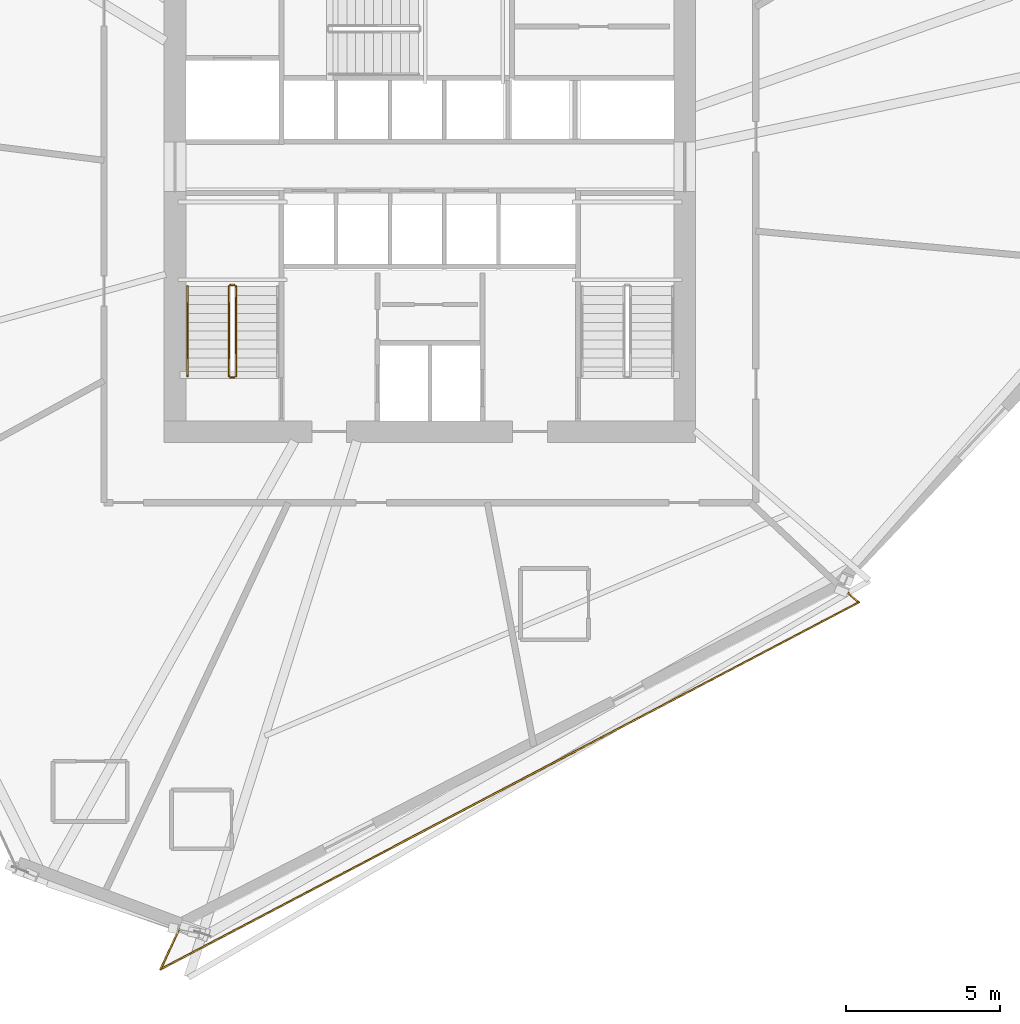
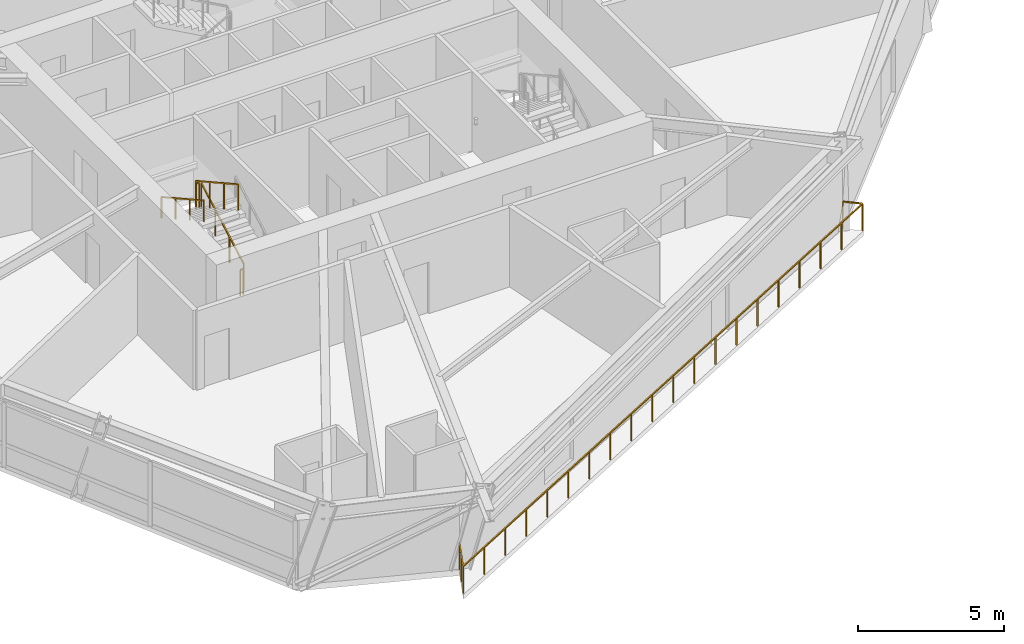
# One storey, part 19 of 22: 6 railings.
"""IFC4 building model written with IfcOpenShell, lengths in metres."""

import ifcopenshell
import ifcopenshell.guid

model = None  # the IFC model being written
_history = None  # IfcOwnerHistory: only IFC2X3 demands one
_inside = {}  # id of a spatial element -> (the spatial element, [elements in it])
_under = {}  # id of a project, library or spatial element -> (it, [spatial elements below it])
_declared = {}  # id of a project -> (the project, [libraries it declares])
_typed = {}  # id of a type object -> (the type object, [elements of that type])
_made_of = {}  # id of a material, layer set ... -> (it, [elements and type objects made of it])


def new_model(schema):
    """Start an empty IFC model of exactly this schema.

    Asked for "IFC4X3", IfcOpenShell would pick the latest addendum, in which some entities
    have other attributes; the version numbers below select the first issue.
    IFC2X3 requires an IfcOwnerHistory on every rooted entity: one is made here for all.
    """
    global model, _history
    if schema == "IFC4X3":
        model = ifcopenshell.file(schema_version=(4, 3, 0, 0))
    else:
        model = ifcopenshell.file(schema=schema)
    _inside.clear()
    _under.clear()
    _declared.clear()
    _typed.clear()
    _made_of.clear()
    _history = None
    if model.schema == "IFC2X3":
        org = make("IfcOrganization", Name="unknown")
        user = make(
            "IfcPersonAndOrganization",
            ThePerson=make("IfcPerson", FamilyName="unknown"),
            TheOrganization=org,
        )
        app = make(
            "IfcApplication",
            ApplicationDeveloper=org,
            Version="unknown",
            ApplicationFullName="unknown",
            ApplicationIdentifier="unknown",
        )
        _history = make(
            "IfcOwnerHistory",
            OwningUser=user,
            OwningApplication=app,
            ChangeAction="ADDED",
            CreationDate=0,
        )
    return model


def make(cls, **values):
    """One entity of the class cls with the attributes given. An attribute that is None is left unset."""
    return model.create_entity(
        cls, **{name: value for name, value in values.items() if value is not None}
    )


def rooted(cls, **values):
    """An entity with a GlobalId (a new one), such as an element, a storey or a relation."""
    return make(cls, GlobalId=ifcopenshell.guid.new(), OwnerHistory=_history, **values)


def si_unit(unit_type, name, prefix=None):
    """IfcSIUnit, for example si_unit("LENGTHUNIT", "METRE", prefix="MILLI")."""
    return make("IfcSIUnit", UnitType=unit_type, Prefix=prefix, Name=name)


def assignment(units):
    """IfcUnitAssignment: the units of a project."""
    return None if units is None else make("IfcUnitAssignment", Units=units)


def point(xyz):
    """IfcCartesianPoint."""
    return None if xyz is None else make("IfcCartesianPoint", Coordinates=xyz)


def direction(xyz):
    """IfcDirection."""
    return None if xyz is None else make("IfcDirection", DirectionRatios=xyz)


def frame(location, z_axis=None, x_axis=None):
    """IfcAxis2Placement3D, a coordinate frame: its origin and axes. An axis left out is left unset."""
    return make(
        "IfcAxis2Placement3D",
        Location=point(location),
        Axis=direction(z_axis),
        RefDirection=direction(x_axis),
    )


def frame_2d(location, x_axis=None):
    """IfcAxis2Placement2D, a coordinate frame in the plane: its origin and x axis."""
    return make(
        "IfcAxis2Placement2D", Location=point(location), RefDirection=direction(x_axis)
    )


def origin():
    """The frame at (0, 0, 0) with its axes left unset."""
    return frame((0.0, 0.0, 0.0))


def origin_2d():
    """The frame at (0, 0) in the plane with its x axis left unset."""
    return frame_2d((0.0, 0.0))


def place(relative_to, where):
    """IfcLocalPlacement: puts the frame where relative to a parent placement (None: the world)."""
    return make(
        "IfcLocalPlacement", PlacementRelTo=relative_to, RelativePlacement=where
    )


def context(
    kind, dimensions, precision=None, world=None, true_north=None, identifier=None
):
    """IfcGeometricRepresentationContext, for example the 3D "Model" context."""
    return make(
        "IfcGeometricRepresentationContext",
        ContextIdentifier=identifier,
        ContextType=kind,
        CoordinateSpaceDimension=dimensions,
        Precision=precision,
        WorldCoordinateSystem=world,
        TrueNorth=true_north,
    )


def subcontext(parent, identifier, kind, view, scale=None):
    """IfcGeometricRepresentationSubContext, for example "Body" below "Model"."""
    return make(
        "IfcGeometricRepresentationSubContext",
        ContextIdentifier=identifier,
        ContextType=kind,
        ParentContext=parent,
        TargetScale=scale,
        TargetView=view,
    )


def project(units=None, contexts=None):
    """IfcProject with its units and contexts."""
    return rooted(
        "IfcProject",
        Name="project",
        RepresentationContexts=contexts,
        UnitsInContext=assignment(units),
    )


def spatial(cls, under=None, at=None, **own):
    """A site, building, storey or space (cls), placed at a placement, below another one or the project."""
    s = rooted(cls, ObjectPlacement=at, **own)
    if under is not None:
        _under.setdefault(under.id(), (under, []))[1].append(s)
    return s


def profile(cls, at=None, kind="AREA", **sizes):
    """A parametric profile (cls). Its sizes go by their IFC names, for example OverallWidth=200.0."""
    return make(cls, ProfileType=kind, Position=at, **sizes)


def rectangle(**sizes):
    """IfcRectangleProfileDef."""
    return profile("IfcRectangleProfileDef", **sizes)


def extrude(swept, where, along, depth):
    """IfcExtrudedAreaSolid: the profile swept, set in the frame where, extruded along a direction by depth."""
    return make(
        "IfcExtrudedAreaSolid",
        SweptArea=swept,
        Position=where,
        ExtrudedDirection=direction(along),
        Depth=depth,
    )


def shape(context_of_items, identifier, shape_type, items):
    """IfcShapeRepresentation: the items that make up one representation, for example the "Body"."""
    return make(
        "IfcShapeRepresentation",
        ContextOfItems=context_of_items,
        RepresentationIdentifier=identifier,
        RepresentationType=shape_type,
        Items=items,
    )


def material(Name=None, Category=None):
    """IfcMaterial."""
    return make("IfcMaterial", Name=Name, Category=Category)


def made_of(thing, what):
    """Note that an element or type object is made of a material, layer set ...; save() writes the relation."""
    if what is not None:
        _made_of.setdefault(what.id(), (what, []))[1].append(thing)
    return thing


def type_object(cls, material=None, **own):
    """A type object (cls), such as IfcWallType, which elements share."""
    return made_of(rooted(cls, **own), material)


def element(
    cls,
    number,
    at=None,
    inside=None,
    cuts=None,
    type_object=None,
    material=None,
    context=None,
    identifier="Body",
    shape_type=None,
    held_by="IfcProductDefinitionShape",
    body=None,
    shapes=None,
    **own,
):
    """One element of the class cls, such as IfcWall. Its Tag is "e" and its number.

    at: its placement. inside: the storey or other place that contains it. cuts: it is an
    opening in that element (IfcRelVoidsElement). A single representation is given by context,
    identifier, shape_type and body (its items); several are given by shapes. held_by: the class
    of the entity that holds the representations. save() writes the other relations.
    """
    e = rooted(cls, Tag="e%d" % number, ObjectPlacement=at, **own)
    if body is not None:
        shapes = [shape(context, identifier, shape_type, body)]
    if shapes is not None:
        e.Representation = make(held_by, Representations=shapes)
    if inside is not None:
        _inside.setdefault(inside.id(), (inside, []))[1].append(e)
    if cuts is not None:
        rooted(
            "IfcRelVoidsElement", RelatingBuildingElement=cuts, RelatedOpeningElement=e
        )
    if type_object is not None:
        _typed.setdefault(type_object.id(), (type_object, []))[1].append(e)
    return made_of(e, material)


def aggregate(whole, parts):
    """IfcRelAggregates: a whole, such as a stair, and the parts it consists of."""
    return rooted("IfcRelAggregates", RelatingObject=whole, RelatedObjects=parts)


def save(model, path):
    """Write the relations noted so far, then the file.

    IfcRelAggregates (storeys below a building ...), IfcRelContainedInSpatialStructure (elements
    in a storey), IfcRelDefinesByType, IfcRelAssociatesMaterial and IfcRelDeclares: one each for
    every whole, place, type object, material and project.
    """
    for whole, parts in _under.values():
        aggregate(whole, parts)
    for where, things in _inside.values():
        rooted(
            "IfcRelContainedInSpatialStructure",
            RelatedElements=things,
            RelatingStructure=where,
        )
    for kind, things in _typed.values():
        rooted("IfcRelDefinesByType", RelatedObjects=things, RelatingType=kind)
    for what, things in _made_of.values():
        rooted("IfcRelAssociatesMaterial", RelatedObjects=things, RelatingMaterial=what)
    for by, libraries in _declared.values():
        rooted("IfcRelDeclares", RelatingContext=by, RelatedDefinitions=libraries)
    model.write(path)


model = new_model("IFC4")

# Units and contexts
model_context = context("Model", 3, precision=1e-05, world=origin(), true_north=direction((0.0, 1.0)))
body_context = subcontext(model_context, "Body", "Model", "MODEL_VIEW")
ifc_project = project(units=[si_unit("LENGTHUNIT", "METRE"), si_unit("AREAUNIT", "SQUARE_METRE"), si_unit("VOLUMEUNIT", "CUBIC_METRE"), si_unit("PLANEANGLEUNIT", "RADIAN"), si_unit("MASSUNIT", "GRAM", prefix="KILO")], contexts=[model_context])

# Site, building, storey
site_placement = place(None, origin())
site = spatial("IfcSite", under=ifc_project, at=site_placement, CompositionType="ELEMENT")
building_placement = place(site_placement, origin())
building = spatial("IfcBuilding", under=site, at=building_placement, Name="Olszyna Solenne Hotel", CompositionType="ELEMENT")
storey_placement = place(building_placement, frame((0.0, 0.0, 95.050048828125)))
storey = spatial("IfcBuildingStorey", under=building, at=storey_placement, Name="L24", CompositionType="ELEMENT", Elevation=95.050048828125)

# Railings
ifc_material_1 = material(Name="Anodised bronze aluminium", Category="aluminium")
railing_type_1 = type_object("IfcRailingType", Name="GR-110", PredefinedType="BALUSTRADE", material=ifc_material_1)
railing_1_placement = place(storey_placement, frame((29.87744140625, 3.038818359375, 0.0)))
element("IfcRailing", 1, at=railing_1_placement, inside=storey, type_object=railing_type_1, Name="Loggia balcony balustrade guard GR-L24-LG3", PredefinedType="BALUSTRADE", context=body_context, shape_type="SweptSolid", body=[
    extrude(rectangle(XDim=0.048095703125, YDim=0.048095703125, at=origin_2d()), frame((0.0, 0.0, 1.1259765625), z_axis=(-0.418556074465, -0.908190955983, 0.0), x_axis=(0.908190955983, -0.418556074465, 0.0)), (0.0, 0.0, 1.0), 1.41845703125),
    extrude(rectangle(XDim=0.048095703125, YDim=0.048095703125, at=origin_2d()), frame((-0.59375, -1.288330078125, 1.1259765625), z_axis=(0.88520243157, 0.465206035153, 0.0), x_axis=(-0.465206035153, 0.88520243157, 0.0)), (0.0, 0.0, 1.0), 25.531982421875),
    extrude(rectangle(XDim=0.048095703125, YDim=0.048095703125, at=origin_2d()), frame((22.00732421875, 10.58935546875, 1.1259765625), z_axis=(-0.762297375152, 0.64722693998, 0.0), x_axis=(-0.64722693998, -0.762297375152, 0.0)), (0.0, 0.0, 1.0), 0.689453125),
    extrude(rectangle(XDim=0.0419921875, YDim=0.0419921875, at=origin_2d()), origin(), (0.0, 0.0, 1.0), 1.101806640625),
    extrude(rectangle(XDim=0.0419921875, YDim=0.0419921875, at=origin_2d()), frame((-0.296875, -0.64404296875, 0.0)), (0.0, 0.0, 1.0), 1.101806640625),
    extrude(rectangle(XDim=0.0419921875, YDim=0.0419921875, at=origin_2d()), frame((-0.59375, -1.288330078125, 0.0)), (0.0, 0.0, 1.0), 1.101806640625),
    extrude(rectangle(XDim=0.0419921875, YDim=0.0419921875, at=origin_2d()), frame((0.595703125, -0.6630859375, 0.0)), (0.0, 0.0, 1.0), 1.101806640625),
    extrude(rectangle(XDim=0.0419921875, YDim=0.0419921875, at=origin_2d()), frame((1.785400390625, -0.0380859375, 0.0)), (0.0, 0.0, 1.0), 1.101806640625),
    extrude(rectangle(XDim=0.0419921875, YDim=0.0419921875, at=origin_2d()), frame((2.974853515625, 0.587158203125, 0.0)), (0.0, 0.0, 1.0), 1.101806640625),
    extrude(rectangle(XDim=0.0419921875, YDim=0.0419921875, at=origin_2d()), frame((4.164306640625, 1.212158203125, 0.0)), (0.0, 0.0, 1.0), 1.101806640625),
    extrude(rectangle(XDim=0.0419921875, YDim=0.0419921875, at=origin_2d()), frame((5.35400390625, 1.83740234375, 0.0)), (0.0, 0.0, 1.0), 1.101806640625),
    extrude(rectangle(XDim=0.0419921875, YDim=0.0419921875, at=origin_2d()), frame((6.54345703125, 2.46240234375, 0.0)), (0.0, 0.0, 1.0), 1.101806640625),
    extrude(rectangle(XDim=0.0419921875, YDim=0.0419921875, at=origin_2d()), frame((7.73291015625, 3.087646484375, 0.0)), (0.0, 0.0, 1.0), 1.101806640625),
    extrude(rectangle(XDim=0.0419921875, YDim=0.0419921875, at=origin_2d()), frame((8.922607421875, 3.712890625, 0.0)), (0.0, 0.0, 1.0), 1.101806640625),
    extrude(rectangle(XDim=0.0419921875, YDim=0.0419921875, at=origin_2d()), frame((10.112060546875, 4.337890625, 0.0)), (0.0, 0.0, 1.0), 1.101806640625),
    extrude(rectangle(XDim=0.0419921875, YDim=0.0419921875, at=origin_2d()), frame((11.301513671875, 4.963134765625, 0.0)), (0.0, 0.0, 1.0), 1.101806640625),
    extrude(rectangle(XDim=0.0419921875, YDim=0.0419921875, at=origin_2d()), frame((12.490966796875, 5.588134765625, 0.0)), (0.0, 0.0, 1.0), 1.101806640625),
    extrude(rectangle(XDim=0.0419921875, YDim=0.0419921875, at=origin_2d()), frame((13.6806640625, 6.21337890625, 0.0)), (0.0, 0.0, 1.0), 1.101806640625),
    extrude(rectangle(XDim=0.0419921875, YDim=0.0419921875, at=origin_2d()), frame((14.8701171875, 6.838623046875, 0.0)), (0.0, 0.0, 1.0), 1.101806640625),
    extrude(rectangle(XDim=0.0419921875, YDim=0.0419921875, at=origin_2d()), frame((16.0595703125, 7.463623046875, 0.0)), (0.0, 0.0, 1.0), 1.101806640625),
    extrude(rectangle(XDim=0.0419921875, YDim=0.0419921875, at=origin_2d()), frame((17.249267578125, 8.0888671875, 0.0)), (0.0, 0.0, 1.0), 1.101806640625),
    extrude(rectangle(XDim=0.0419921875, YDim=0.0419921875, at=origin_2d()), frame((18.438720703125, 8.7138671875, 0.0)), (0.0, 0.0, 1.0), 1.101806640625),
    extrude(rectangle(XDim=0.0419921875, YDim=0.0419921875, at=origin_2d()), frame((19.628173828125, 9.339111328125, 0.0)), (0.0, 0.0, 1.0), 1.101806640625),
    extrude(rectangle(XDim=0.0419921875, YDim=0.0419921875, at=origin_2d()), frame((20.81787109375, 9.964111328125, 0.0)), (0.0, 0.0, 1.0), 1.101806640625),
    extrude(rectangle(XDim=0.0419921875, YDim=0.0419921875, at=origin_2d()), frame((22.00732421875, 10.58935546875, 0.0)), (0.0, 0.0, 1.0), 1.101806640625),
    extrude(rectangle(XDim=0.0419921875, YDim=0.0419921875, at=origin_2d()), frame((21.481689453125, 11.03564453125, 0.0)), (0.0, 0.0, 1.0), 1.101806640625),
])
railing_2_placement = place(storey_placement, frame((31.719970703125, 20.949951171875, 0.161376953125)))
element("IfcRailing", 2, at=railing_2_placement, inside=storey, type_object=railing_type_1, Name="L24 ST1 stair guard 1", PredefinedType="BALUSTRADE", context=body_context, shape_type="SweptSolid", body=[
    extrude(rectangle(XDim=0.048095703125, YDim=0.048095703125, at=origin_2d()), frame((0.0, 0.0, 1.076171875), z_axis=(0.0, 0.873858693841, 0.486179990537), x_axis=(-1.0, 0.0, 0.0)), (0.0, 0.0, 1.0), 3.31884765625),
    extrude(rectangle(XDim=0.0419921875, YDim=0.0419921875, at=origin_2d()), origin(), (0.0, 0.0, 1.0), 1.052001953125),
    extrude(rectangle(XDim=0.0419921875, YDim=0.0419921875, at=origin_2d()), frame((0.0, 0.966796875, 0.537841796875)), (0.0, 0.0, 1.0), 1.052001953125),
    extrude(rectangle(XDim=0.0419921875, YDim=0.0419921875, at=origin_2d()), frame((0.0, 1.933349609375, 1.07568359375)), (0.0, 0.0, 1.0), 1.052001953125),
    extrude(rectangle(XDim=0.0419921875, YDim=0.0419921875, at=origin_2d()), frame((0.0, 2.900146484375, 1.613525390625)), (0.0, 0.0, 1.0), 1.052001953125),
])
railing_3_placement = place(storey_placement, frame((31.669921875, 23.89990234375, 1.77490234375)))
element("IfcRailing", 3, at=railing_3_placement, inside=storey, type_object=railing_type_1, Name="L24 ST1 stair guard 2", PredefinedType="BALUSTRADE", context=body_context, shape_type="SweptSolid", body=[
    extrude(rectangle(XDim=0.048095703125, YDim=0.048095703125, at=origin_2d()), frame((0.0, 0.0, 1.076171875), z_axis=(-1.0, 0.0, 0.0), x_axis=(0.0, -1.0, 0.0)), (0.0, 0.0, 1.0), 0.119873046875),
    extrude(rectangle(XDim=0.0419921875, YDim=0.0419921875, at=origin_2d()), origin(), (0.0, 0.0, 1.0), 1.052001953125),
    extrude(rectangle(XDim=0.0419921875, YDim=0.0419921875, at=origin_2d()), frame((-0.119873046875, 0.0, 0.0)), (0.0, 0.0, 1.0), 1.052001953125),
])
railing_4_placement = place(storey_placement, frame((31.5, 23.85009765625, 1.936279296875)))
element("IfcRailing", 4, at=railing_4_placement, inside=storey, type_object=railing_type_1, Name="L24 ST1 stair guard 3", PredefinedType="BALUSTRADE", context=body_context, shape_type="SweptSolid", body=[
    extrude(rectangle(XDim=0.048095703125, YDim=0.048095703125, at=origin_2d()), frame((0.0, 0.0, 1.076171875), z_axis=(0.0, -0.873827439584, 0.48623616261), x_axis=(1.0, 0.0, 0.0)), (0.0, 0.0, 1.0), 3.31884765625),
    extrude(rectangle(XDim=0.0419921875, YDim=0.0419921875, at=origin_2d()), origin(), (0.0, 0.0, 1.0), 1.052001953125),
    extrude(rectangle(XDim=0.0419921875, YDim=0.0419921875, at=origin_2d()), frame((0.0, -0.966796875, 0.537841796875)), (0.0, 0.0, 1.0), 1.052001953125),
    extrude(rectangle(XDim=0.0419921875, YDim=0.0419921875, at=origin_2d()), frame((0.0, -1.933349609375, 1.075927734375)), (0.0, 0.0, 1.0), 1.052001953125),
    extrude(rectangle(XDim=0.0419921875, YDim=0.0419921875, at=origin_2d()), frame((0.0, -2.900146484375, 1.61376953125)), (0.0, 0.0, 1.0), 1.052001953125),
])
railing_5_placement = place(storey_placement, frame((31.669921875, 20.89990234375, 0.0)))
element("IfcRailing", 5, at=railing_5_placement, inside=storey, type_object=railing_type_1, Name="L24 ST1 stair guard 4", PredefinedType="BALUSTRADE", context=body_context, shape_type="SweptSolid", body=[
    extrude(rectangle(XDim=0.048095703125, YDim=0.048095703125, at=origin_2d()), frame((0.0, 0.0, 1.076171875), z_axis=(-1.0, 0.0, 0.0), x_axis=(0.0, -1.0, 0.0)), (0.0, 0.0, 1.0), 0.119873046875),
    extrude(rectangle(XDim=0.0419921875, YDim=0.0419921875, at=origin_2d()), origin(), (0.0, 0.0, 1.0), 1.052001953125),
    extrude(rectangle(XDim=0.0419921875, YDim=0.0419921875, at=origin_2d()), frame((-0.119873046875, 0.0, 0.0)), (0.0, 0.0, 1.0), 1.052001953125),
])
ifc_material_2 = material(Name="Steel S355J2", Category="steel")
railing_type_2 = type_object("IfcRailingType", Name="HR-090", PredefinedType="HANDRAIL", material=ifc_material_2)
railing_6_placement = place(storey_placement, frame((30.14990234375, 23.85009765625, 1.936279296875)))
element("IfcRailing", 6, at=railing_6_placement, inside=storey, type_object=railing_type_2, Name="L24 ST1 stair handrail 2", PredefinedType="HANDRAIL", context=body_context, shape_type="SweptSolid", body=[
    extrude(rectangle(XDim=0.048095703125, YDim=0.048095703125, at=origin_2d()), frame((0.0, 0.0, 0.8759765625), z_axis=(0.0, -0.873827439584, 0.48623616261), x_axis=(1.0, 0.0, 0.0)), (0.0, 0.0, 1.0), 3.31884765625),
    extrude(rectangle(XDim=0.0419921875, YDim=0.0419921875, at=origin_2d()), origin(), (0.0, 0.0, 1.0), 0.851806640625),
    extrude(rectangle(XDim=0.0419921875, YDim=0.0419921875, at=origin_2d()), frame((0.0, -0.966796875, 0.537841796875)), (0.0, 0.0, 1.0), 0.851806640625),
    extrude(rectangle(XDim=0.0419921875, YDim=0.0419921875, at=origin_2d()), frame((0.0, -1.933349609375, 1.075927734375)), (0.0, 0.0, 1.0), 0.851806640625),
    extrude(rectangle(XDim=0.0419921875, YDim=0.0419921875, at=origin_2d()), frame((0.0, -2.900146484375, 1.61376953125)), (0.0, 0.0, 1.0), 0.851806640625),
])

save(model, "model.ifc")
